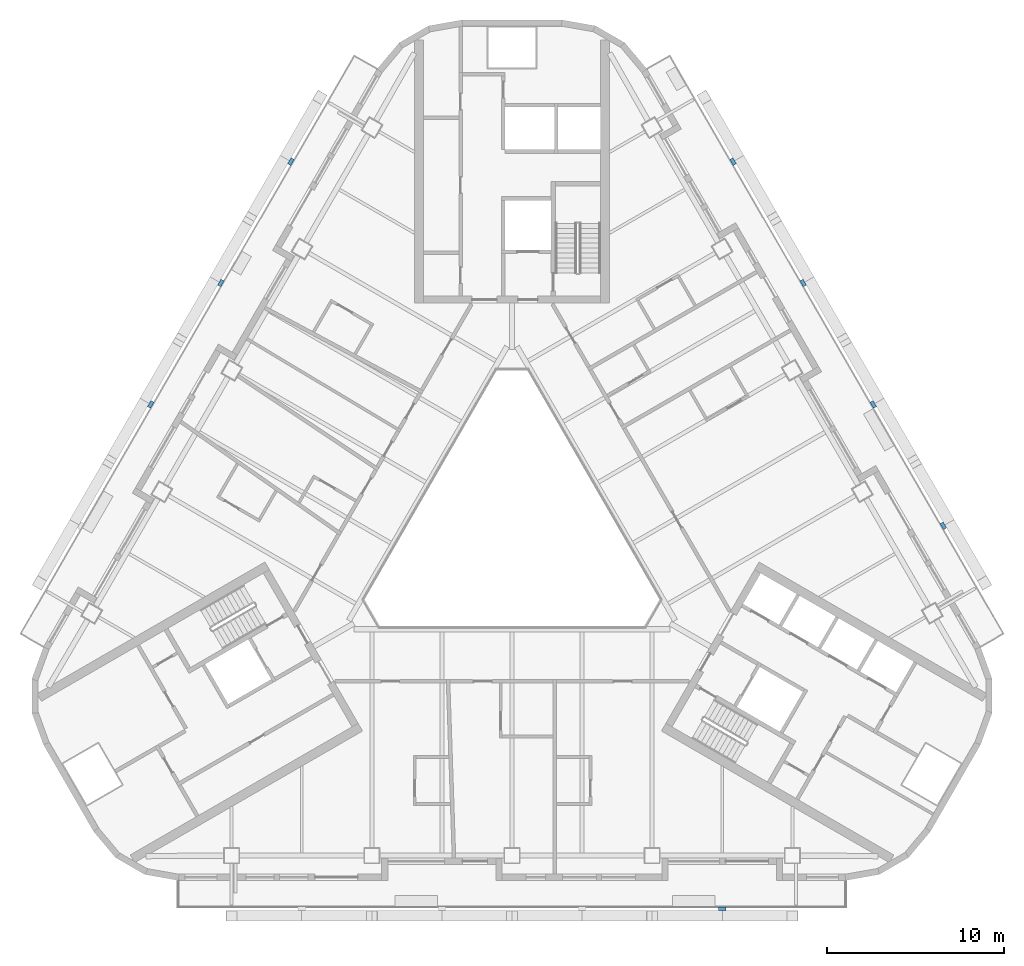
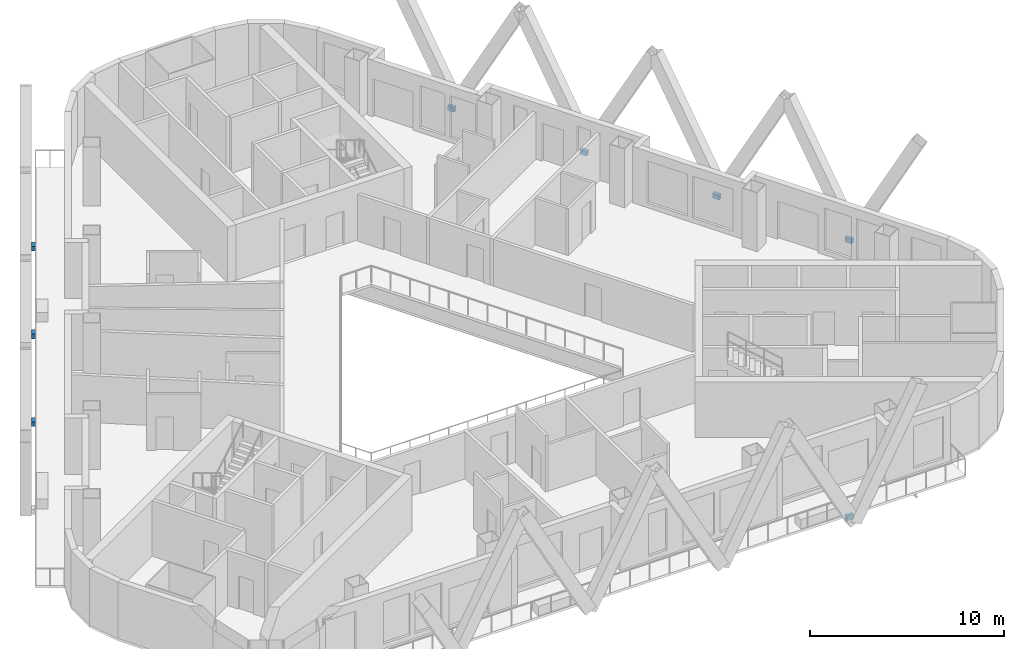
# One storey, part 8 of 14: 8 discrete accessories.
"""IFC4 building model written with IfcOpenShell, lengths in metres."""

import ifcopenshell
import ifcopenshell.guid

model = None  # the IFC model being written
_history = None  # IfcOwnerHistory: only IFC2X3 demands one
_inside = {}  # id of a spatial element -> (the spatial element, [elements in it])
_under = {}  # id of a project, library or spatial element -> (it, [spatial elements below it])
_declared = {}  # id of a project -> (the project, [libraries it declares])
_typed = {}  # id of a type object -> (the type object, [elements of that type])
_made_of = {}  # id of a material, layer set ... -> (it, [elements and type objects made of it])


def new_model(schema):
    """Start an empty IFC model of exactly this schema.

    Asked for "IFC4X3", IfcOpenShell would pick the latest addendum, in which some entities
    have other attributes; the version numbers below select the first issue.
    IFC2X3 requires an IfcOwnerHistory on every rooted entity: one is made here for all.
    """
    global model, _history
    if schema == "IFC4X3":
        model = ifcopenshell.file(schema_version=(4, 3, 0, 0))
    else:
        model = ifcopenshell.file(schema=schema)
    _inside.clear()
    _under.clear()
    _declared.clear()
    _typed.clear()
    _made_of.clear()
    _history = None
    if model.schema == "IFC2X3":
        org = make("IfcOrganization", Name="unknown")
        user = make(
            "IfcPersonAndOrganization",
            ThePerson=make("IfcPerson", FamilyName="unknown"),
            TheOrganization=org,
        )
        app = make(
            "IfcApplication",
            ApplicationDeveloper=org,
            Version="unknown",
            ApplicationFullName="unknown",
            ApplicationIdentifier="unknown",
        )
        _history = make(
            "IfcOwnerHistory",
            OwningUser=user,
            OwningApplication=app,
            ChangeAction="ADDED",
            CreationDate=0,
        )
    return model


def make(cls, **values):
    """One entity of the class cls with the attributes given. An attribute that is None is left unset."""
    return model.create_entity(
        cls, **{name: value for name, value in values.items() if value is not None}
    )


def rooted(cls, **values):
    """An entity with a GlobalId (a new one), such as an element, a storey or a relation."""
    return make(cls, GlobalId=ifcopenshell.guid.new(), OwnerHistory=_history, **values)


def si_unit(unit_type, name, prefix=None):
    """IfcSIUnit, for example si_unit("LENGTHUNIT", "METRE", prefix="MILLI")."""
    return make("IfcSIUnit", UnitType=unit_type, Prefix=prefix, Name=name)


def assignment(units):
    """IfcUnitAssignment: the units of a project."""
    return None if units is None else make("IfcUnitAssignment", Units=units)


def point(xyz):
    """IfcCartesianPoint."""
    return None if xyz is None else make("IfcCartesianPoint", Coordinates=xyz)


def direction(xyz):
    """IfcDirection."""
    return None if xyz is None else make("IfcDirection", DirectionRatios=xyz)


def frame(location, z_axis=None, x_axis=None):
    """IfcAxis2Placement3D, a coordinate frame: its origin and axes. An axis left out is left unset."""
    return make(
        "IfcAxis2Placement3D",
        Location=point(location),
        Axis=direction(z_axis),
        RefDirection=direction(x_axis),
    )


def frame_2d(location, x_axis=None):
    """IfcAxis2Placement2D, a coordinate frame in the plane: its origin and x axis."""
    return make(
        "IfcAxis2Placement2D", Location=point(location), RefDirection=direction(x_axis)
    )


def origin():
    """The frame at (0, 0, 0) with its axes left unset."""
    return frame((0.0, 0.0, 0.0))


def origin_2d():
    """The frame at (0, 0) in the plane with its x axis left unset."""
    return frame_2d((0.0, 0.0))


def place(relative_to, where):
    """IfcLocalPlacement: puts the frame where relative to a parent placement (None: the world)."""
    return make(
        "IfcLocalPlacement", PlacementRelTo=relative_to, RelativePlacement=where
    )


def context(
    kind, dimensions, precision=None, world=None, true_north=None, identifier=None
):
    """IfcGeometricRepresentationContext, for example the 3D "Model" context."""
    return make(
        "IfcGeometricRepresentationContext",
        ContextIdentifier=identifier,
        ContextType=kind,
        CoordinateSpaceDimension=dimensions,
        Precision=precision,
        WorldCoordinateSystem=world,
        TrueNorth=true_north,
    )


def subcontext(parent, identifier, kind, view, scale=None):
    """IfcGeometricRepresentationSubContext, for example "Body" below "Model"."""
    return make(
        "IfcGeometricRepresentationSubContext",
        ContextIdentifier=identifier,
        ContextType=kind,
        ParentContext=parent,
        TargetScale=scale,
        TargetView=view,
    )


def project(units=None, contexts=None):
    """IfcProject with its units and contexts."""
    return rooted(
        "IfcProject",
        Name="project",
        RepresentationContexts=contexts,
        UnitsInContext=assignment(units),
    )


def spatial(cls, under=None, at=None, **own):
    """A site, building, storey or space (cls), placed at a placement, below another one or the project."""
    s = rooted(cls, ObjectPlacement=at, **own)
    if under is not None:
        _under.setdefault(under.id(), (under, []))[1].append(s)
    return s


def profile(cls, at=None, kind="AREA", **sizes):
    """A parametric profile (cls). Its sizes go by their IFC names, for example OverallWidth=200.0."""
    return make(cls, ProfileType=kind, Position=at, **sizes)


def rectangle(**sizes):
    """IfcRectangleProfileDef."""
    return profile("IfcRectangleProfileDef", **sizes)


def extrude(swept, where, along, depth):
    """IfcExtrudedAreaSolid: the profile swept, set in the frame where, extruded along a direction by depth."""
    return make(
        "IfcExtrudedAreaSolid",
        SweptArea=swept,
        Position=where,
        ExtrudedDirection=direction(along),
        Depth=depth,
    )


def shape(context_of_items, identifier, shape_type, items):
    """IfcShapeRepresentation: the items that make up one representation, for example the "Body"."""
    return make(
        "IfcShapeRepresentation",
        ContextOfItems=context_of_items,
        RepresentationIdentifier=identifier,
        RepresentationType=shape_type,
        Items=items,
    )


def material(Name=None, Category=None):
    """IfcMaterial."""
    return make("IfcMaterial", Name=Name, Category=Category)


def made_of(thing, what):
    """Note that an element or type object is made of a material, layer set ...; save() writes the relation."""
    if what is not None:
        _made_of.setdefault(what.id(), (what, []))[1].append(thing)
    return thing


def type_object(cls, material=None, **own):
    """A type object (cls), such as IfcWallType, which elements share."""
    return made_of(rooted(cls, **own), material)


def element(
    cls,
    number,
    at=None,
    inside=None,
    cuts=None,
    type_object=None,
    material=None,
    context=None,
    identifier="Body",
    shape_type=None,
    held_by="IfcProductDefinitionShape",
    body=None,
    shapes=None,
    **own,
):
    """One element of the class cls, such as IfcWall. Its Tag is "e" and its number.

    at: its placement. inside: the storey or other place that contains it. cuts: it is an
    opening in that element (IfcRelVoidsElement). A single representation is given by context,
    identifier, shape_type and body (its items); several are given by shapes. held_by: the class
    of the entity that holds the representations. save() writes the other relations.
    """
    e = rooted(cls, Tag="e%d" % number, ObjectPlacement=at, **own)
    if body is not None:
        shapes = [shape(context, identifier, shape_type, body)]
    if shapes is not None:
        e.Representation = make(held_by, Representations=shapes)
    if inside is not None:
        _inside.setdefault(inside.id(), (inside, []))[1].append(e)
    if cuts is not None:
        rooted(
            "IfcRelVoidsElement", RelatingBuildingElement=cuts, RelatedOpeningElement=e
        )
    if type_object is not None:
        _typed.setdefault(type_object.id(), (type_object, []))[1].append(e)
    return made_of(e, material)


def aggregate(whole, parts):
    """IfcRelAggregates: a whole, such as a stair, and the parts it consists of."""
    return rooted("IfcRelAggregates", RelatingObject=whole, RelatedObjects=parts)


def save(model, path):
    """Write the relations noted so far, then the file.

    IfcRelAggregates (storeys below a building ...), IfcRelContainedInSpatialStructure (elements
    in a storey), IfcRelDefinesByType, IfcRelAssociatesMaterial and IfcRelDeclares: one each for
    every whole, place, type object, material and project.
    """
    for whole, parts in _under.values():
        aggregate(whole, parts)
    for where, things in _inside.values():
        rooted(
            "IfcRelContainedInSpatialStructure",
            RelatedElements=things,
            RelatingStructure=where,
        )
    for kind, things in _typed.values():
        rooted("IfcRelDefinesByType", RelatedObjects=things, RelatingType=kind)
    for what, things in _made_of.values():
        rooted("IfcRelAssociatesMaterial", RelatedObjects=things, RelatingMaterial=what)
    for by, libraries in _declared.values():
        rooted("IfcRelDeclares", RelatingContext=by, RelatedDefinitions=libraries)
    model.write(path)


model = new_model("IFC4")

# Units and contexts
model_context = context("Model", 3, precision=1e-05, world=origin(), true_north=direction((0.0, 1.0)))
body_context = subcontext(model_context, "Body", "Model", "MODEL_VIEW")
ifc_project = project(units=[si_unit("LENGTHUNIT", "METRE"), si_unit("AREAUNIT", "SQUARE_METRE"), si_unit("VOLUMEUNIT", "CUBIC_METRE"), si_unit("PLANEANGLEUNIT", "RADIAN"), si_unit("MASSUNIT", "GRAM", prefix="KILO")], contexts=[model_context])

# Site, building, storey
site_placement = place(None, origin())
site = spatial("IfcSite", under=ifc_project, at=site_placement, CompositionType="ELEMENT")
building_placement = place(site_placement, origin())
building = spatial("IfcBuilding", under=site, at=building_placement, Name="Apuvela Tower Hotel", CompositionType="ELEMENT")
storey_placement = place(building_placement, frame((0.0, 0.0, 98.300048828125)))
storey = spatial("IfcBuildingStorey", under=building, at=storey_placement, Name="L22", CompositionType="ELEMENT", Elevation=98.300048828125)

# Discrete accessories
ifc_material = material(Name="Steel S355, black paint system", Category="steel")
discrete_accessory_type = type_object("IfcDiscreteAccessoryType", Name="ENV-FIN-BRACKET", PredefinedType="BRACKET", material=ifc_material)
for number, where, z_axis, x_axis, name in (
    (1, (24.310791015625, 0.3525390625, -0.25), (0.0, 0.0, 1.0), (-0.5, 0.866025403784, 0.0), "Fin bracket NE33"),
    (2, (20.360595703125, 7.194091796875, -0.25), (0.0, 0.0, 1.0), (-0.5, 0.866025403784, 0.0), "Fin bracket NE34"),
    (3, (16.41064453125, 14.035888671875, -0.25), (0.0, 0.0, 1.0), (-0.5, 0.866025403784, 0.0), "Fin bracket NE35"),
    (4, (12.460693359375, 20.87744140625, -0.25), (0.0, 0.0, 1.0), (-0.5, 0.866025403784, 0.0), "Fin bracket NE36"),
    (5, (-12.460693359375, 20.87744140625, -0.25), (0.0, 0.0, 1.0), (-0.5, -0.866025403784, 0.0), "Fin bracket NW182"),
    (6, (-16.41064453125, 14.035888671875, -0.25), (0.0, 0.0, 1.0), (-0.5, -0.866025403784, 0.0), "Fin bracket NW183"),
    (7, (-20.360595703125, 7.194091796875, -0.25), (0.0, 0.0, 1.0), (-0.5, -0.866025403784, 0.0), "Fin bracket NW184"),
    (8, (11.85009765625, -21.22998046875, -0.25), (0.0, 0.0, 1.0), (1.0, 0.0, 0.0), "Fin bracket S335"),
):
    element("IfcDiscreteAccessory", number, at=place(storey_placement, frame(where, z_axis=z_axis, x_axis=x_axis)), inside=storey, type_object=discrete_accessory_type, Name=name, PredefinedType="BRACKET", context=body_context, shape_type="SweptSolid", body=[
        extrude(rectangle(XDim=0.39990234375, YDim=0.199951171875, at=origin_2d()), origin(), (0.0, 0.0, 1.0), 0.300048828125),
    ])

save(model, "model.ifc")
